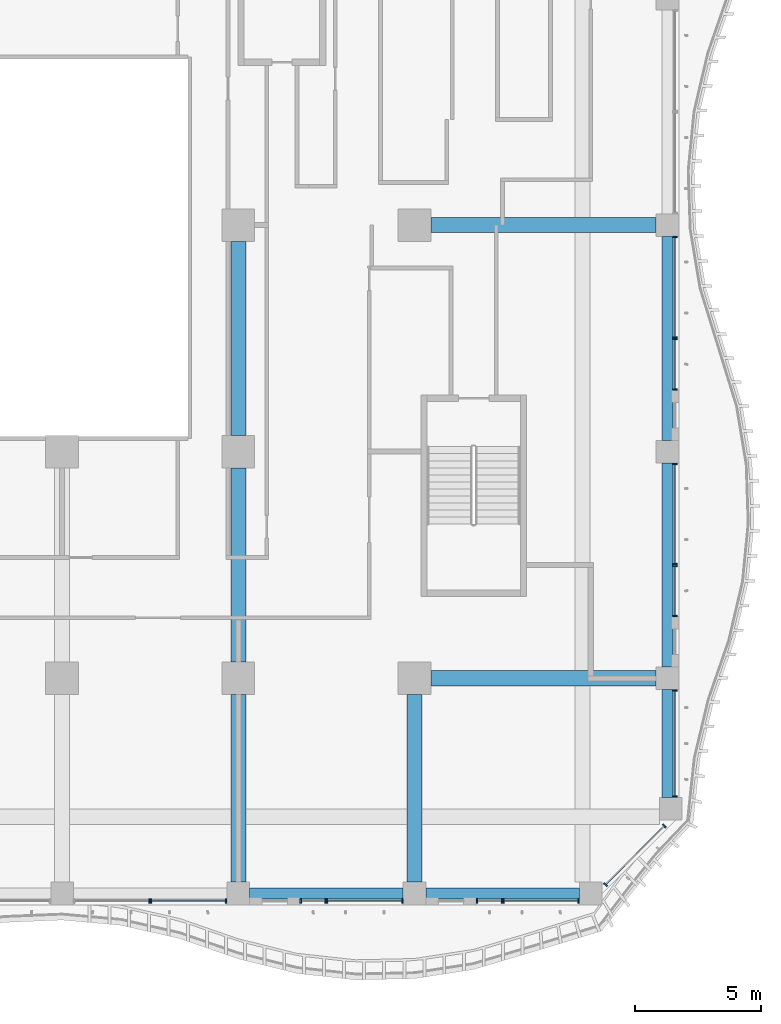
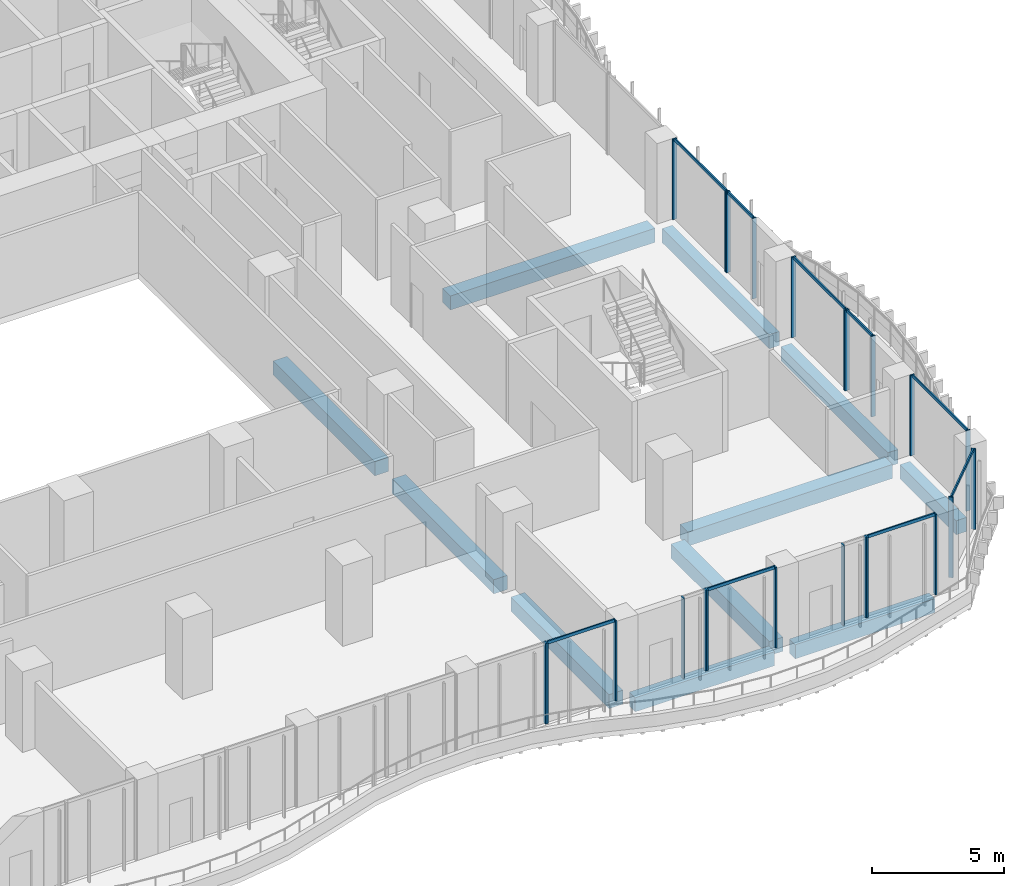
# One storey, part 4 of 25: 32 members, 11 beams, 12 elements without a shape of their own.
"""IFC4 building model written with IfcOpenShell, lengths in metres."""

from ifc_helpers import new_model, si_unit, direction, frame, origin, origin_2d, place, context, subcontext, project, spatial, rectangle, extrude, source, transform, mapped, material, material_profile, profile_set, type_object, element, aggregate, save


model = new_model("IFC4")

# Units and contexts
model_context = context("Model", 3, precision=1e-05, world=origin(), true_north=direction((0.0, 1.0)))
body_context = subcontext(model_context, "Body", "Model", "MODEL_VIEW")
ifc_project = project(units=[si_unit("LENGTHUNIT", "METRE"), si_unit("AREAUNIT", "SQUARE_METRE"), si_unit("VOLUMEUNIT", "CUBIC_METRE"), si_unit("PLANEANGLEUNIT", "RADIAN"), si_unit("MASSUNIT", "GRAM", prefix="KILO")], contexts=[model_context])

# Site, building, storey
site_placement = place(None, origin())
site = spatial("IfcSite", under=ifc_project, at=site_placement, CompositionType="ELEMENT")
building_placement = place(site_placement, origin())
building = spatial("IfcBuilding", under=site, at=building_placement, Name="Kilnfold Tower and Market Hall", CompositionType="ELEMENT")
storey_placement = place(building_placement, frame((0.0, 0.0, 39.0)))
storey = spatial("IfcBuildingStorey", under=building, at=storey_placement, Name="L08", CompositionType="ELEMENT", Elevation=39.0)

# Beams
ifc_material_1 = material(Name="Concrete C45", Category="concrete")
ifc_material_profile_1 = material_profile(ifc_material_1, rectangle(XDim=0.449951171875, YDim=0.64990234375, at=origin_2d()), Name="RC 450x650")
ifc_profile_set_1 = profile_set([ifc_material_profile_1], Name="Concrete C45")
beam_type_1 = type_object("IfcBeamType", Name="EDGE BEAM 450X650 C45", PredefinedType="BEAM", material=ifc_profile_set_1)
shared_shape_1 = source(origin(), body_context, "Body", "SweptSolid", [
    extrude(rectangle(XDim=0.449951171875, YDim=0.64990234375, at=origin_2d()), origin(), (0.0, 0.0, 1.0), 6.10009765625),
])
for number, where, z_axis, x_axis, name in (
    (1, (10.949951171875, -27.550048828125, -0.60498046875), (1.0, 0.0, 0.0), (0.0, 1.0, 0.0), "Beam EB650-B1.5"),
    (2, (17.949951171875, -27.550048828125, -0.60498046875), (1.0, 0.0, 0.0), (0.0, 1.0, 0.0), "Beam EB650-B1.6"),
):
    element("IfcBeam", number, at=place(storey_placement, frame(where, z_axis=z_axis, x_axis=x_axis)), inside=storey, type_object=beam_type_1, Name=name, PredefinedType="BEAM", context=body_context, shape_type="MappedRepresentation", body=[
        mapped(shared_shape_1, transform((0.0, 0.0, 0.0))),
    ])
ifc_material_2 = material(Name="Concrete C45", Category="concrete")
ifc_material_profile_2 = material_profile(ifc_material_2, rectangle(XDim=0.60009765625, YDim=0.64990234375, at=origin_2d()), Name="RC 600x650")
ifc_profile_set_2 = profile_set([ifc_material_profile_2], Name="Concrete C45")
beam_type_2 = type_object("IfcBeamType", Name="BEAM 600X650 C45", PredefinedType="BEAM", material=ifc_profile_set_2)
shared_shape_2 = source(origin(), body_context, "Body", "SweptSolid", [
    extrude(rectangle(XDim=0.60009765625, YDim=0.64990234375, at=origin_2d()), origin(), (0.0, 0.0, 1.0), 8.9501953125),
])
for number, where, z_axis, x_axis, name in (
    (3, (18.14990234375, -19.0, -0.60498046875), (1.0, 0.0, 0.0), (0.0, 1.0, 0.0), "Beam BB650-B1.12"),
    (4, (18.14990234375, -1.0, -0.60498046875), (1.0, 0.0, 0.0), (0.0, 1.0, 0.0), "Beam BB650-B1.20"),
):
    element("IfcBeam", number, at=place(storey_placement, frame(where, z_axis=z_axis, x_axis=x_axis)), inside=storey, type_object=beam_type_2, Name=name, PredefinedType="BEAM", context=body_context, shape_type="MappedRepresentation", body=[
        mapped(shared_shape_2, transform((0.0, 0.0, 0.0))),
    ])
shared_shape_3 = source(origin(), body_context, "Body", "SweptSolid", [
    extrude(rectangle(XDim=0.449951171875, YDim=0.64990234375, at=origin_2d()), origin(), (0.0, 0.0, 1.0), 8.10009765625),
])
for number, where, z_axis, x_axis, name in (
    (5, (27.550048828125, -18.550048828125, -0.60498046875), (0.0, 1.0, 0.0), (-1.0, 0.0, 0.0), "Beam EB650-B1.52"),
    (6, (27.550048828125, -9.550048828125, -0.60498046875), (0.0, 1.0, 0.0), (-1.0, 0.0, 0.0), "Beam EB650-B1.58"),
):
    element("IfcBeam", number, at=place(storey_placement, frame(where, z_axis=z_axis, x_axis=x_axis)), inside=storey, type_object=beam_type_1, Name=name, PredefinedType="BEAM", context=body_context, shape_type="MappedRepresentation", body=[
        mapped(shared_shape_3, transform((0.0, 0.0, 0.0))),
    ])
shared_shape_4 = source(origin(), body_context, "Body", "SweptSolid", [
    extrude(rectangle(XDim=0.60009765625, YDim=0.64990234375, at=origin_2d()), origin(), (0.0, 0.0, 1.0), 7.4501953125),
])
for number, where, z_axis, x_axis, name in (
    (7, (10.5, -27.10009765625, -0.60498046875), (0.0, 1.0, 0.0), (-1.0, 0.0, 0.0), "Beam BB650-B1.47"),
    (8, (17.5, -27.10009765625, -0.60498046875), (0.0, 1.0, 0.0), (-1.0, 0.0, 0.0), "Beam BB650-B1.50"),
):
    element("IfcBeam", number, at=place(storey_placement, frame(where, z_axis=z_axis, x_axis=x_axis)), inside=storey, type_object=beam_type_2, Name=name, PredefinedType="BEAM", context=body_context, shape_type="MappedRepresentation", body=[
        mapped(shared_shape_4, transform((0.0, 0.0, 0.0))),
    ])
shared_shape_5 = source(origin(), body_context, "Body", "SweptSolid", [
    extrude(rectangle(XDim=0.60009765625, YDim=0.64990234375, at=origin_2d()), origin(), (0.0, 0.0, 1.0), 7.7001953125),
])
for number, where, z_axis, x_axis, name in (
    (9, (10.5, -18.35009765625, -0.60498046875), (0.0, 1.0, 0.0), (-1.0, 0.0, 0.0), "Beam BB650-B1.48"),
    (10, (10.5, -9.35009765625, -0.60498046875), (0.0, 1.0, 0.0), (-1.0, 0.0, 0.0), "Beam BB650-B1.49"),
):
    element("IfcBeam", number, at=place(storey_placement, frame(where, z_axis=z_axis, x_axis=x_axis)), inside=storey, type_object=beam_type_2, Name=name, PredefinedType="BEAM", context=body_context, shape_type="MappedRepresentation", body=[
        mapped(shared_shape_5, transform((0.0, 0.0, 0.0))),
    ])
shared_shape_6 = source(origin(), body_context, "Body", "SweptSolid", [
    extrude(rectangle(XDim=0.449951171875, YDim=0.64990234375, at=origin_2d()), origin(), (0.0, 0.0, 1.0), 4.28173828125),
])
beam_placement = place(storey_placement, frame((27.550048828125, -23.731689453125, -0.60498046875), z_axis=(0.0, 1.0, 0.0), x_axis=(-1.0, 0.0, 0.0)))
element("IfcBeam", 11, at=beam_placement, inside=storey, type_object=beam_type_1, Name="Beam EB650-B1.51", PredefinedType="BEAM", context=body_context, shape_type="MappedRepresentation", body=[
    mapped(shared_shape_6, transform((0.0, 0.0, 0.0))),
])

# Curtain wall, member
ifc_material_3 = material(Name="Aluminium and double glazing", Category="aluminium")
curtain_wall_type = type_object("IfcCurtainWallType", Name="CW OF1 VALLEY GLAZING", PredefinedType="NOTDEFINED", material=ifc_material_3)
curtain_wall_1_placement = place(storey_placement, origin())
curtain_wall_1 = element("IfcCurtainWall", 12, at=curtain_wall_1_placement, inside=storey, type_object=curtain_wall_type, Name="Curtain wall CW1 L08 S", PredefinedType="NOTDEFINED")
ifc_material_4 = material(Name="Aluminium", Category="aluminium")
ifc_material_profile_3 = material_profile(ifc_material_4, rectangle(XDim=0.06005859375, YDim=0.179931640625, at=origin_2d()), Name="MULLION 60x180")
ifc_profile_set_3 = profile_set([ifc_material_profile_3], Name="Aluminium")
member_type_1 = type_object("IfcMemberType", Name="MULLION 60X180", PredefinedType="MULLION", material=ifc_profile_set_3)
shared_shape_7 = source(origin(), body_context, "Body", "SweptSolid", [
    extrude(rectangle(XDim=0.06005859375, YDim=0.179931640625, at=origin_2d()), origin(), (0.0, 0.0, 1.0), 3.719970703125),
])
member_1_placement = place(storey_placement, frame((6.969970703125, -27.85009765625, 0.0), z_axis=(0.0, 0.0, 1.0), x_axis=(1.0, 0.0, 0.0)))
member_1 = element("IfcMember", 13, at=member_1_placement, type_object=member_type_1, Name="CW1 mullion 2", PredefinedType="MULLION", context=body_context, shape_type="MappedRepresentation", body=[
    mapped(shared_shape_7, transform((0.0, 0.0, 0.0))),
])
aggregate(curtain_wall_1, [member_1])

# Curtain wall, members
curtain_wall_2_placement = place(storey_placement, origin())
curtain_wall_2 = element("IfcCurtainWall", 14, at=curtain_wall_2_placement, inside=storey, type_object=curtain_wall_type, Name="Curtain wall CW1 L08 S", PredefinedType="NOTDEFINED")
member_2_placement = place(storey_placement, frame((7.030029296875, -27.85009765625, 0.0), z_axis=(0.0, 0.0, 1.0), x_axis=(1.0, 0.0, 0.0)))
member_2 = element("IfcMember", 15, at=member_2_placement, type_object=member_type_1, Name="CW1 mullion 1", PredefinedType="MULLION", context=body_context, shape_type="MappedRepresentation", body=[
    mapped(shared_shape_7, transform((0.0, 0.0, 0.0))),
])
member_3_placement = place(storey_placement, frame((10.02001953125, -27.85009765625, 0.0), z_axis=(0.0, 0.0, 1.0), x_axis=(1.0, 0.0, 0.0)))
member_3 = element("IfcMember", 16, at=member_3_placement, type_object=member_type_1, Name="CW1 mullion 2", PredefinedType="MULLION", context=body_context, shape_type="MappedRepresentation", body=[
    mapped(shared_shape_7, transform((0.0, 0.0, 0.0))),
])

curtain_wall_3_placement = place(storey_placement, origin())
curtain_wall_3 = element("IfcCurtainWall", 17, at=curtain_wall_3_placement, inside=storey, type_object=curtain_wall_type, Name="Curtain wall CW1 L08 S", PredefinedType="NOTDEFINED")
member_4_placement = place(storey_placement, frame((12.97998046875, -27.85009765625, 0.0), z_axis=(0.0, 0.0, 1.0), x_axis=(1.0, 0.0, 0.0)))
member_4 = element("IfcMember", 18, at=member_4_placement, type_object=member_type_1, Name="CW1 mullion 1", PredefinedType="MULLION", context=body_context, shape_type="MappedRepresentation", body=[
    mapped(shared_shape_7, transform((0.0, 0.0, 0.0))),
])
member_5_placement = place(storey_placement, frame((13.969970703125, -27.85009765625, 0.0), z_axis=(0.0, 0.0, 1.0), x_axis=(1.0, 0.0, 0.0)))
member_5 = element("IfcMember", 19, at=member_5_placement, type_object=member_type_1, Name="CW1 mullion 2", PredefinedType="MULLION", context=body_context, shape_type="MappedRepresentation", body=[
    mapped(shared_shape_7, transform((0.0, 0.0, 0.0))),
])
aggregate(curtain_wall_3, [member_4, member_5])

curtain_wall_4_placement = place(storey_placement, origin())
curtain_wall_4 = element("IfcCurtainWall", 20, at=curtain_wall_4_placement, inside=storey, type_object=curtain_wall_type, Name="Curtain wall CW1 L08 S", PredefinedType="NOTDEFINED")
member_6_placement = place(storey_placement, frame((14.030029296875, -27.85009765625, 0.0), z_axis=(0.0, 0.0, 1.0), x_axis=(1.0, 0.0, 0.0)))
member_6 = element("IfcMember", 21, at=member_6_placement, type_object=member_type_1, Name="CW1 mullion 1", PredefinedType="MULLION", context=body_context, shape_type="MappedRepresentation", body=[
    mapped(shared_shape_7, transform((0.0, 0.0, 0.0))),
])
member_7_placement = place(storey_placement, frame((17.02001953125, -27.85009765625, 0.0), z_axis=(0.0, 0.0, 1.0), x_axis=(1.0, 0.0, 0.0)))
member_7 = element("IfcMember", 22, at=member_7_placement, type_object=member_type_1, Name="CW1 mullion 2", PredefinedType="MULLION", context=body_context, shape_type="MappedRepresentation", body=[
    mapped(shared_shape_7, transform((0.0, 0.0, 0.0))),
])

curtain_wall_5_placement = place(storey_placement, origin())
curtain_wall_5 = element("IfcCurtainWall", 23, at=curtain_wall_5_placement, inside=storey, type_object=curtain_wall_type, Name="Curtain wall CW1 L08 S", PredefinedType="NOTDEFINED")
member_8_placement = place(storey_placement, frame((19.97998046875, -27.85009765625, 0.0), z_axis=(0.0, 0.0, 1.0), x_axis=(1.0, 0.0, 0.0)))
member_8 = element("IfcMember", 24, at=member_8_placement, type_object=member_type_1, Name="CW1 mullion 1", PredefinedType="MULLION", context=body_context, shape_type="MappedRepresentation", body=[
    mapped(shared_shape_7, transform((0.0, 0.0, 0.0))),
])
member_9_placement = place(storey_placement, frame((20.969970703125, -27.85009765625, 0.0), z_axis=(0.0, 0.0, 1.0), x_axis=(1.0, 0.0, 0.0)))
member_9 = element("IfcMember", 25, at=member_9_placement, type_object=member_type_1, Name="CW1 mullion 2", PredefinedType="MULLION", context=body_context, shape_type="MappedRepresentation", body=[
    mapped(shared_shape_7, transform((0.0, 0.0, 0.0))),
])
aggregate(curtain_wall_5, [member_8, member_9])

curtain_wall_6_placement = place(storey_placement, origin())
curtain_wall_6 = element("IfcCurtainWall", 26, at=curtain_wall_6_placement, inside=storey, type_object=curtain_wall_type, Name="Curtain wall CW1 L08 S", PredefinedType="NOTDEFINED")
member_10_placement = place(storey_placement, frame((21.030029296875, -27.85009765625, 0.0), z_axis=(0.0, 0.0, 1.0), x_axis=(1.0, 0.0, 0.0)))
member_10 = element("IfcMember", 27, at=member_10_placement, type_object=member_type_1, Name="CW1 mullion 1", PredefinedType="MULLION", context=body_context, shape_type="MappedRepresentation", body=[
    mapped(shared_shape_7, transform((0.0, 0.0, 0.0))),
])
member_11_placement = place(storey_placement, frame((24.02001953125, -27.85009765625, 0.0), z_axis=(0.0, 0.0, 1.0), x_axis=(1.0, 0.0, 0.0)))
member_11 = element("IfcMember", 28, at=member_11_placement, type_object=member_type_1, Name="CW1 mullion 2", PredefinedType="MULLION", context=body_context, shape_type="MappedRepresentation", body=[
    mapped(shared_shape_7, transform((0.0, 0.0, 0.0))),
])

curtain_wall_7_placement = place(storey_placement, origin())
curtain_wall_7 = element("IfcCurtainWall", 29, at=curtain_wall_7_placement, inside=storey, type_object=curtain_wall_type, Name="Curtain wall CW1 L08 SE", PredefinedType="NOTDEFINED")
member_12_placement = place(storey_placement, frame((25.090087890625, -27.19775390625, 0.0), z_axis=(0.0, 0.0, 1.0), x_axis=(0.707121667181, 0.707091894879, 0.0)))
member_12 = element("IfcMember", 30, at=member_12_placement, type_object=member_type_1, Name="CW1 mullion 1", PredefinedType="MULLION", context=body_context, shape_type="MappedRepresentation", body=[
    mapped(shared_shape_7, transform((0.0, 0.0, 0.0))),
])
member_13_placement = place(storey_placement, frame((27.4228515625, -24.865234375, 0.0), z_axis=(0.0, 0.0, 1.0), x_axis=(0.707121667181, 0.707091894879, 0.0)))
member_13 = element("IfcMember", 31, at=member_13_placement, type_object=member_type_1, Name="CW1 mullion 2", PredefinedType="MULLION", context=body_context, shape_type="MappedRepresentation", body=[
    mapped(shared_shape_7, transform((0.0, 0.0, 0.0))),
])

curtain_wall_8_placement = place(storey_placement, origin())
curtain_wall_8 = element("IfcCurtainWall", 32, at=curtain_wall_8_placement, inside=storey, type_object=curtain_wall_type, Name="Curtain wall CW1 L08 E", PredefinedType="NOTDEFINED")
member_14_placement = place(storey_placement, frame((27.85009765625, -23.701904296875, 0.0), z_axis=(0.0, 0.0, 1.0), x_axis=(0.0, 1.0, 0.0)))
member_14 = element("IfcMember", 33, at=member_14_placement, type_object=member_type_1, Name="CW1 mullion 1", PredefinedType="MULLION", context=body_context, shape_type="MappedRepresentation", body=[
    mapped(shared_shape_7, transform((0.0, 0.0, 0.0))),
])
member_15_placement = place(storey_placement, frame((27.85009765625, -19.47998046875, 0.0), z_axis=(0.0, 0.0, 1.0), x_axis=(0.0, 1.0, 0.0)))
member_15 = element("IfcMember", 34, at=member_15_placement, type_object=member_type_1, Name="CW1 mullion 2", PredefinedType="MULLION", context=body_context, shape_type="MappedRepresentation", body=[
    mapped(shared_shape_7, transform((0.0, 0.0, 0.0))),
])

curtain_wall_9_placement = place(storey_placement, origin())
curtain_wall_9 = element("IfcCurtainWall", 35, at=curtain_wall_9_placement, inside=storey, type_object=curtain_wall_type, Name="Curtain wall CW1 L08 E", PredefinedType="NOTDEFINED")
member_16_placement = place(storey_placement, frame((27.85009765625, -16.52001953125, 0.0), z_axis=(0.0, 0.0, 1.0), x_axis=(0.0, 1.0, 0.0)))
member_16 = element("IfcMember", 36, at=member_16_placement, type_object=member_type_1, Name="CW1 mullion 1", PredefinedType="MULLION", context=body_context, shape_type="MappedRepresentation", body=[
    mapped(shared_shape_7, transform((0.0, 0.0, 0.0))),
])
member_17_placement = place(storey_placement, frame((27.85009765625, -14.530029296875, 0.0), z_axis=(0.0, 0.0, 1.0), x_axis=(0.0, 1.0, 0.0)))
member_17 = element("IfcMember", 37, at=member_17_placement, type_object=member_type_1, Name="CW1 mullion 2", PredefinedType="MULLION", context=body_context, shape_type="MappedRepresentation", body=[
    mapped(shared_shape_7, transform((0.0, 0.0, 0.0))),
])

curtain_wall_10_placement = place(storey_placement, origin())
curtain_wall_10 = element("IfcCurtainWall", 38, at=curtain_wall_10_placement, inside=storey, type_object=curtain_wall_type, Name="Curtain wall CW1 L08 E", PredefinedType="NOTDEFINED")
member_18_placement = place(storey_placement, frame((27.85009765625, -14.469970703125, 0.0), z_axis=(0.0, 0.0, 1.0), x_axis=(0.0, 1.0, 0.0)))
member_18 = element("IfcMember", 39, at=member_18_placement, type_object=member_type_1, Name="CW1 mullion 1", PredefinedType="MULLION", context=body_context, shape_type="MappedRepresentation", body=[
    mapped(shared_shape_7, transform((0.0, 0.0, 0.0))),
])
member_19_placement = place(storey_placement, frame((27.85009765625, -10.47998046875, 0.0), z_axis=(0.0, 0.0, 1.0), x_axis=(0.0, 1.0, 0.0)))
member_19 = element("IfcMember", 40, at=member_19_placement, type_object=member_type_1, Name="CW1 mullion 2", PredefinedType="MULLION", context=body_context, shape_type="MappedRepresentation", body=[
    mapped(shared_shape_7, transform((0.0, 0.0, 0.0))),
])

curtain_wall_11_placement = place(storey_placement, origin())
curtain_wall_11 = element("IfcCurtainWall", 41, at=curtain_wall_11_placement, inside=storey, type_object=curtain_wall_type, Name="Curtain wall CW1 L08 E", PredefinedType="NOTDEFINED")
member_20_placement = place(storey_placement, frame((27.85009765625, -7.52001953125, 0.0), z_axis=(0.0, 0.0, 1.0), x_axis=(0.0, 1.0, 0.0)))
member_20 = element("IfcMember", 42, at=member_20_placement, type_object=member_type_1, Name="CW1 mullion 1", PredefinedType="MULLION", context=body_context, shape_type="MappedRepresentation", body=[
    mapped(shared_shape_7, transform((0.0, 0.0, 0.0))),
])
member_21_placement = place(storey_placement, frame((27.85009765625, -5.530029296875, 0.0), z_axis=(0.0, 0.0, 1.0), x_axis=(0.0, 1.0, 0.0)))
member_21 = element("IfcMember", 43, at=member_21_placement, type_object=member_type_1, Name="CW1 mullion 2", PredefinedType="MULLION", context=body_context, shape_type="MappedRepresentation", body=[
    mapped(shared_shape_7, transform((0.0, 0.0, 0.0))),
])

curtain_wall_12_placement = place(storey_placement, origin())
curtain_wall_12 = element("IfcCurtainWall", 44, at=curtain_wall_12_placement, inside=storey, type_object=curtain_wall_type, Name="Curtain wall CW1 L08 E", PredefinedType="NOTDEFINED")
member_22_placement = place(storey_placement, frame((27.85009765625, -5.469970703125, 0.0), z_axis=(0.0, 0.0, 1.0), x_axis=(0.0, 1.0, 0.0)))
member_22 = element("IfcMember", 45, at=member_22_placement, type_object=member_type_1, Name="CW1 mullion 1", PredefinedType="MULLION", context=body_context, shape_type="MappedRepresentation", body=[
    mapped(shared_shape_7, transform((0.0, 0.0, 0.0))),
])
member_23_placement = place(storey_placement, frame((27.85009765625, -1.47998046875, 0.0), z_axis=(0.0, 0.0, 1.0), x_axis=(0.0, 1.0, 0.0)))
member_23 = element("IfcMember", 46, at=member_23_placement, type_object=member_type_1, Name="CW1 mullion 2", PredefinedType="MULLION", context=body_context, shape_type="MappedRepresentation", body=[
    mapped(shared_shape_7, transform((0.0, 0.0, 0.0))),
])

# Member
ifc_material_5 = material(Name="Aluminium", Category="aluminium")
ifc_material_profile_4 = material_profile(ifc_material_5, rectangle(XDim=0.06005859375, YDim=0.139892578125, at=origin_2d()), Name="TRANSOM 60x140")
ifc_profile_set_4 = profile_set([ifc_material_profile_4], Name="Aluminium")
member_type_2 = type_object("IfcMemberType", Name="TRANSOM 60X140", PredefinedType="USERDEFINED", material=ifc_profile_set_4)
shared_shape_8 = source(origin(), body_context, "Body", "SweptSolid", [
    extrude(rectangle(XDim=0.06005859375, YDim=0.139892578125, at=origin_2d()), origin(), (0.0, 0.0, 1.0), 2.929931640625),
])
member_24_placement = place(storey_placement, frame((7.06005859375, -27.85009765625, 3.68994140625), z_axis=(1.0, 0.0, 0.0), x_axis=(0.0, 1.0, 0.0)))
member_24 = element("IfcMember", 47, at=member_24_placement, type_object=member_type_2, Name="CW1 transom 1.2", ObjectType="TRANSOM", PredefinedType="USERDEFINED", context=body_context, shape_type="MappedRepresentation", body=[
    mapped(shared_shape_8, transform((0.0, 0.0, 0.0))),
])

aggregate(curtain_wall_2, [member_2, member_3, member_24])

member_25_placement = place(storey_placement, frame((14.06005859375, -27.85009765625, 3.68994140625), z_axis=(1.0, 0.0, 0.0), x_axis=(0.0, 1.0, 0.0)))
member_25 = element("IfcMember", 48, at=member_25_placement, type_object=member_type_2, Name="CW1 transom 1.2", ObjectType="TRANSOM", PredefinedType="USERDEFINED", context=body_context, shape_type="MappedRepresentation", body=[
    mapped(shared_shape_8, transform((0.0, 0.0, 0.0))),
])

aggregate(curtain_wall_4, [member_6, member_7, member_25])

member_26_placement = place(storey_placement, frame((21.06005859375, -27.85009765625, 3.68994140625), z_axis=(1.0, 0.0, 0.0), x_axis=(0.0, 1.0, 0.0)))
member_26 = element("IfcMember", 49, at=member_26_placement, type_object=member_type_2, Name="CW1 transom 1.2", ObjectType="TRANSOM", PredefinedType="USERDEFINED", context=body_context, shape_type="MappedRepresentation", body=[
    mapped(shared_shape_8, transform((0.0, 0.0, 0.0))),
])

aggregate(curtain_wall_6, [member_10, member_11, member_26])

shared_shape_9 = source(origin(), body_context, "Body", "SweptSolid", [
    extrude(rectangle(XDim=0.06005859375, YDim=0.139892578125, at=origin_2d()), origin(), (0.0, 0.0, 1.0), 3.929931640625),
])
member_27_placement = place(storey_placement, frame((27.85009765625, -14.43994140625, 3.68994140625), z_axis=(0.0, 1.0, 0.0), x_axis=(-1.0, 0.0, 0.0)))
member_27 = element("IfcMember", 50, at=member_27_placement, type_object=member_type_2, Name="CW1 transom 1.2", ObjectType="TRANSOM", PredefinedType="USERDEFINED", context=body_context, shape_type="MappedRepresentation", body=[
    mapped(shared_shape_9, transform((0.0, 0.0, 0.0))),
])

aggregate(curtain_wall_10, [member_18, member_19, member_27])

member_28_placement = place(storey_placement, frame((27.85009765625, -5.43994140625, 3.68994140625), z_axis=(0.0, 1.0, 0.0), x_axis=(-1.0, 0.0, 0.0)))
member_28 = element("IfcMember", 51, at=member_28_placement, type_object=member_type_2, Name="CW1 transom 1.2", ObjectType="TRANSOM", PredefinedType="USERDEFINED", context=body_context, shape_type="MappedRepresentation", body=[
    mapped(shared_shape_9, transform((0.0, 0.0, 0.0))),
])

aggregate(curtain_wall_12, [member_22, member_23, member_28])

shared_shape_10 = source(origin(), body_context, "Body", "SweptSolid", [
    extrude(rectangle(XDim=0.06005859375, YDim=0.139892578125, at=origin_2d()), origin(), (0.0, 0.0, 1.0), 1.929931640625),
])
member_29_placement = place(storey_placement, frame((27.85009765625, -16.489990234375, 3.68994140625), z_axis=(0.0, 1.0, 0.0), x_axis=(-1.0, 0.0, 0.0)))
member_29 = element("IfcMember", 52, at=member_29_placement, type_object=member_type_2, Name="CW1 transom 1.2", ObjectType="TRANSOM", PredefinedType="USERDEFINED", context=body_context, shape_type="MappedRepresentation", body=[
    mapped(shared_shape_10, transform((0.0, 0.0, 0.0))),
])

aggregate(curtain_wall_9, [member_16, member_17, member_29])

member_30_placement = place(storey_placement, frame((27.85009765625, -7.489990234375, 3.68994140625), z_axis=(0.0, 1.0, 0.0), x_axis=(-1.0, 0.0, 0.0)))
member_30 = element("IfcMember", 53, at=member_30_placement, type_object=member_type_2, Name="CW1 transom 1.2", ObjectType="TRANSOM", PredefinedType="USERDEFINED", context=body_context, shape_type="MappedRepresentation", body=[
    mapped(shared_shape_10, transform((0.0, 0.0, 0.0))),
])

aggregate(curtain_wall_11, [member_20, member_21, member_30])

shared_shape_11 = source(origin(), body_context, "Body", "SweptSolid", [
    extrude(rectangle(XDim=0.06005859375, YDim=0.139892578125, at=origin_2d()), origin(), (0.0, 0.0, 1.0), 4.161865234375),
])
member_31_placement = place(storey_placement, frame((27.85009765625, -23.671875, 3.68994140625), z_axis=(0.0, 1.0, 0.0), x_axis=(-1.0, 0.0, 0.0)))
member_31 = element("IfcMember", 54, at=member_31_placement, type_object=member_type_2, Name="CW1 transom 1.2", ObjectType="TRANSOM", PredefinedType="USERDEFINED", context=body_context, shape_type="MappedRepresentation", body=[
    mapped(shared_shape_11, transform((0.0, 0.0, 0.0))),
])

aggregate(curtain_wall_8, [member_14, member_15, member_31])

shared_shape_12 = source(origin(), body_context, "Body", "SweptSolid", [
    extrude(rectangle(XDim=0.06005859375, YDim=0.139892578125, at=origin_2d()), origin(), (0.0, 0.0, 1.0), 3.239013671875),
])
member_32_placement = place(storey_placement, frame((25.111328125, -27.176513671875, 3.68994140625), z_axis=(0.707106781187, 0.707106781187, 0.0), x_axis=(-0.707106781187, 0.707106781187, 0.0)))
member_32 = element("IfcMember", 55, at=member_32_placement, type_object=member_type_2, Name="CW1 transom 1.2", ObjectType="TRANSOM", PredefinedType="USERDEFINED", context=body_context, shape_type="MappedRepresentation", body=[
    mapped(shared_shape_12, transform((0.0, 0.0, 0.0))),
])

aggregate(curtain_wall_7, [member_12, member_13, member_32])

save(model, "model.ifc")
